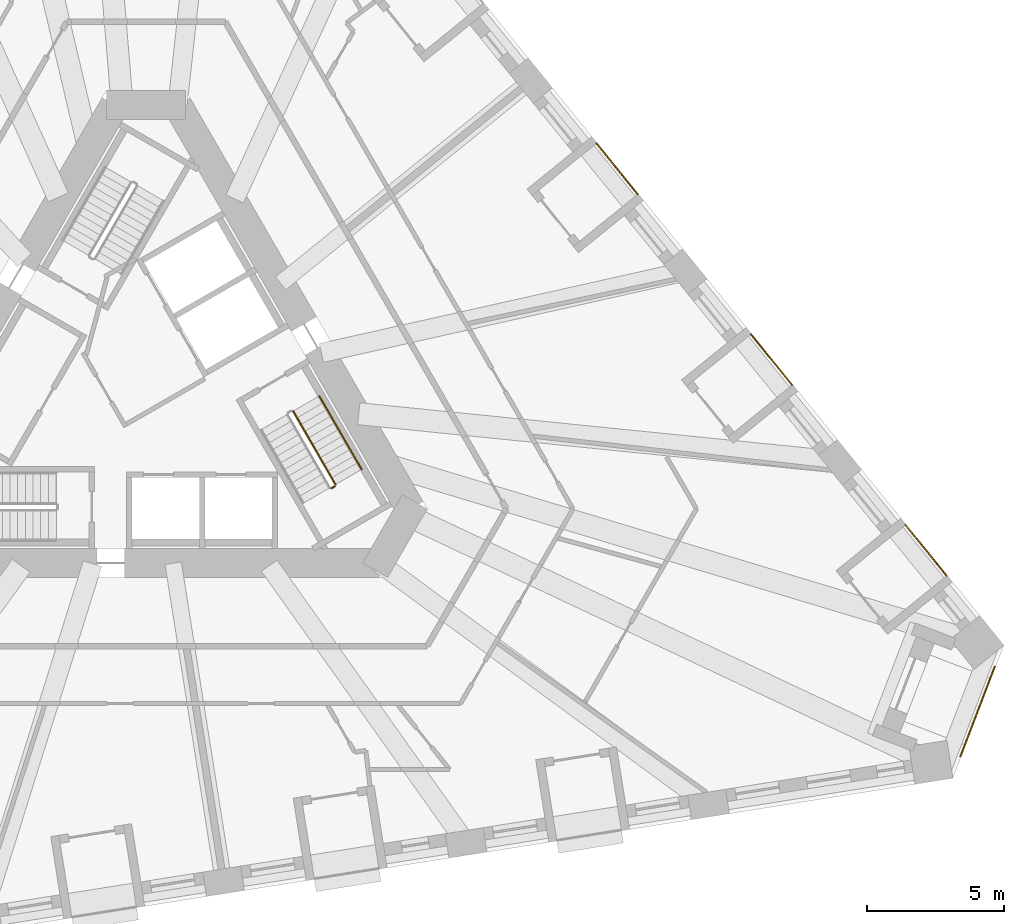
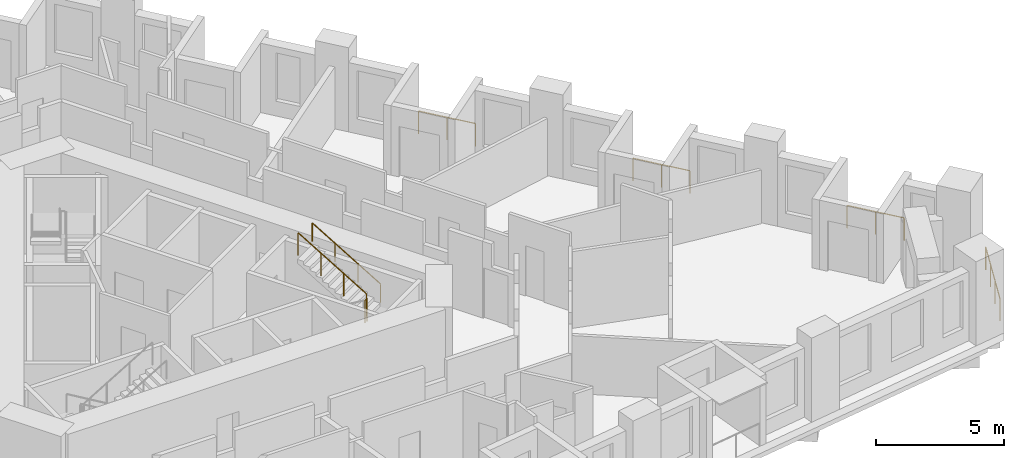
# One storey, part 13 of 14: 7 railings.
"""IFC4 building model written with IfcOpenShell, lengths in metres."""

from ifc_helpers import new_model, si_unit, direction, frame, origin, origin_2d, place, context, subcontext, project, spatial, circle, extrude, material, type_object, element, save


model = new_model("IFC4")

# Units and contexts
model_context = context("Model", 3, precision=1e-05, world=origin(), true_north=direction((0.0, 1.0)))
body_context = subcontext(model_context, "Body", "Model", "MODEL_VIEW")
ifc_project = project(units=[si_unit("LENGTHUNIT", "METRE"), si_unit("AREAUNIT", "SQUARE_METRE"), si_unit("VOLUMEUNIT", "CUBIC_METRE"), si_unit("PLANEANGLEUNIT", "RADIAN"), si_unit("MASSUNIT", "GRAM", prefix="KILO")], contexts=[model_context])

# Site, building, storey
site_placement = place(None, origin())
site = spatial("IfcSite", under=ifc_project, at=site_placement, CompositionType="ELEMENT")
building_placement = place(site_placement, origin())
building = spatial("IfcBuilding", under=site, at=building_placement, Name="Tramontana Tower", CompositionType="ELEMENT")
storey_placement = place(building_placement, frame((0.0, 0.0, 55.199951171875)))
storey = spatial("IfcBuildingStorey", under=building, at=storey_placement, Name="L11", CompositionType="ELEMENT", Elevation=55.199951171875)

# Railings
ifc_material_1 = material(Name="Laminated glass balustrade", Category="glass")
railing_type_1 = type_object("IfcRailingType", Name="GD1 Loggia glass balustrade 1100", PredefinedType="BALUSTRADE", material=ifc_material_1)
railing_1_placement = place(storey_placement, frame((29.18310546875, -6.68896484375, 0.0)))
element("IfcRailing", 1, at=railing_1_placement, inside=storey, type_object=railing_type_1, Name="Loggia balustrade L11 G1S2.1", PredefinedType="BALUSTRADE", context=body_context, shape_type="SweptSolid", body=[
    extrude(circle(Radius=0.02392578125, at=origin_2d()), frame((0.0, 0.0, 1.076171875), z_axis=(-0.629369155682, 0.777106470103, 0.0), x_axis=(-0.777106470103, -0.629369155682, 0.0)), (0.0, 0.0, 1.0), 2.383056640625),
    extrude(circle(Radius=0.02099609375, at=origin_2d()), origin(), (0.0, 0.0, 1.0), 1.052001953125),
    extrude(circle(Radius=0.02099609375, at=origin_2d()), frame((-0.75, 0.92578125, 0.0)), (0.0, 0.0, 1.0), 1.052001953125),
    extrude(circle(Radius=0.02099609375, at=origin_2d()), frame((-1.499755859375, 1.851806640625, 0.0)), (0.0, 0.0, 1.0), 1.052001953125),
])
railing_2_placement = place(storey_placement, frame((23.55126953125, 0.265625, 0.0)))
element("IfcRailing", 2, at=railing_2_placement, inside=storey, type_object=railing_type_1, Name="Loggia balustrade L11 G1S2.4", PredefinedType="BALUSTRADE", context=body_context, shape_type="SweptSolid", body=[
    extrude(circle(Radius=0.02392578125, at=origin_2d()), frame((0.0, 0.0, 1.076171875), z_axis=(-0.629257171563, 0.777197151331, 0.0), x_axis=(-0.777197151331, -0.629257171563, 0.0)), (0.0, 0.0, 1.0), 2.383056640625),
    extrude(circle(Radius=0.02099609375, at=origin_2d()), origin(), (0.0, 0.0, 1.0), 1.052001953125),
    extrude(circle(Radius=0.02099609375, at=origin_2d()), frame((-0.749755859375, 0.926025390625, 0.0)), (0.0, 0.0, 1.0), 1.052001953125),
    extrude(circle(Radius=0.02099609375, at=origin_2d()), frame((-1.49951171875, 1.85205078125, 0.0)), (0.0, 0.0, 1.0), 1.052001953125),
])
railing_3_placement = place(storey_placement, frame((17.919677734375, 7.22021484375, 0.0)))
element("IfcRailing", 3, at=railing_3_placement, inside=storey, type_object=railing_type_1, Name="Loggia balustrade L11 G1S2.7", PredefinedType="BALUSTRADE", context=body_context, shape_type="SweptSolid", body=[
    extrude(circle(Radius=0.02392578125, at=origin_2d()), frame((0.0, 0.0, 1.076171875), z_axis=(-0.629319049918, 0.777147047482, 0.0), x_axis=(-0.777147047482, -0.629319049918, 0.0)), (0.0, 0.0, 1.0), 2.383056640625),
    extrude(circle(Radius=0.02099609375, at=origin_2d()), origin(), (0.0, 0.0, 1.0), 1.052001953125),
    extrude(circle(Radius=0.02099609375, at=origin_2d()), frame((-0.75, 0.926025390625, 0.0)), (0.0, 0.0, 1.0), 1.052001953125),
    extrude(circle(Radius=0.02099609375, at=origin_2d()), frame((-1.499755859375, 1.85205078125, 0.0)), (0.0, 0.0, 1.0), 1.052001953125),
])
railing_4_placement = place(storey_placement, frame((30.9404296875, -10.00244140625, 0.0)))
element("IfcRailing", 4, at=railing_4_placement, inside=storey, type_object=railing_type_1, Name="Corner loggia balustrade L11 K12", PredefinedType="BALUSTRADE", context=body_context, shape_type="SweptSolid", body=[
    extrude(circle(Radius=0.02392578125, at=origin_2d()), frame((0.0, 0.0, 1.076171875), z_axis=(-0.358329267986, -0.933595274037, 0.0), x_axis=(0.933595274037, -0.358329267986, 0.0)), (0.0, 0.0, 1.0), 3.5),
    extrude(circle(Radius=0.02099609375, at=origin_2d()), origin(), (0.0, 0.0, 1.0), 1.052001953125),
    extrude(circle(Radius=0.02099609375, at=origin_2d()), frame((-0.41796875, -1.089111328125, 0.0)), (0.0, 0.0, 1.0), 1.052001953125),
    extrude(circle(Radius=0.02099609375, at=origin_2d()), frame((-0.836181640625, -2.178466796875, 0.0)), (0.0, 0.0, 1.0), 1.052001953125),
    extrude(circle(Radius=0.02099609375, at=origin_2d()), frame((-1.254150390625, -3.267578125, 0.0)), (0.0, 0.0, 1.0), 1.052001953125),
])
ifc_material_2 = material(Name="Painted steel", Category="steel")
railing_type_2 = type_object("IfcRailingType", Name="STAIR GUARD 1100", PredefinedType="GUARDRAIL", material=ifc_material_2)
railing_5_placement = place(storey_placement, frame((6.90380859375, -3.35791015625, 2.166748046875)))
element("IfcRailing", 5, at=railing_5_placement, inside=storey, type_object=railing_type_2, Name="L11 ST3 stair guard 2", PredefinedType="GUARDRAIL", context=body_context, shape_type="SweptSolid", body=[
    extrude(circle(Radius=0.02392578125, at=origin_2d()), frame((0.0, 0.0, 1.076171875), z_axis=(-0.429615651263, 0.74418122563, 0.511492615401), x_axis=(-0.866044340336, -0.499967199496, 0.0)), (0.0, 0.0, 1.0), 3.584228515625),
    extrude(circle(Radius=0.02099609375, at=origin_2d()), origin(), (0.0, 0.0, 1.0), 1.052001953125),
    extrude(circle(Radius=0.02099609375, at=origin_2d()), frame((-0.51318359375, 0.88916015625, 0.611083984375)), (0.0, 0.0, 1.0), 1.052001953125),
    extrude(circle(Radius=0.02099609375, at=origin_2d()), frame((-1.026611328125, 1.778076171875, 1.22216796875)), (0.0, 0.0, 1.0), 1.052001953125),
    extrude(circle(Radius=0.02099609375, at=origin_2d()), frame((-1.539794921875, 2.667236328125, 1.833251953125)), (0.0, 0.0, 1.0), 1.052001953125),
])
railing_6_placement = place(storey_placement, frame((6.755615234375, -3.501220703125, 2.0)))
element("IfcRailing", 6, at=railing_6_placement, inside=storey, type_object=railing_type_2, Name="L11 ST3 stair guard 3", PredefinedType="GUARDRAIL", context=body_context, shape_type="SweptSolid", body=[
    extrude(circle(Radius=0.02392578125, at=origin_2d()), frame((0.0, 0.0, 1.076171875), z_axis=(0.866131372301, 0.499816412211, 0.0), x_axis=(-0.499816412211, 0.866131372301, 0.0)), (0.0, 0.0, 1.0), 0.14990234375),
    extrude(circle(Radius=0.02099609375, at=origin_2d()), origin(), (0.0, 0.0, 1.0), 1.052001953125),
    extrude(circle(Radius=0.02099609375, at=origin_2d()), frame((0.1298828125, 0.074951171875, 0.0)), (0.0, 0.0, 1.0), 1.052001953125),
])
ifc_material_3 = material(Name="Painted steel", Category="steel")
railing_type_3 = type_object("IfcRailingType", Name="STAIR HANDRAIL 900", PredefinedType="HANDRAIL", material=ifc_material_3)
railing_7_placement = place(storey_placement, frame((7.8564453125, -2.807861328125, 2.166748046875)))
element("IfcRailing", 7, at=railing_7_placement, inside=storey, type_object=railing_type_3, Name="L11 ST3 stair handrail 2", PredefinedType="HANDRAIL", context=body_context, shape_type="SweptSolid", body=[
    extrude(circle(Radius=0.02392578125, at=origin_2d()), frame((0.0, 0.0, 0.8759765625), z_axis=(-0.429615651263, 0.74418122563, 0.511492615401), x_axis=(-0.866044340336, -0.499967199496, 0.0)), (0.0, 0.0, 1.0), 3.584228515625),
    extrude(circle(Radius=0.02099609375, at=origin_2d()), origin(), (0.0, 0.0, 1.0), 0.851806640625),
    extrude(circle(Radius=0.02099609375, at=origin_2d()), frame((-0.51318359375, 0.88916015625, 0.611083984375)), (0.0, 0.0, 1.0), 0.851806640625),
    extrude(circle(Radius=0.02099609375, at=origin_2d()), frame((-1.026611328125, 1.778076171875, 1.22216796875)), (0.0, 0.0, 1.0), 0.851806640625),
    extrude(circle(Radius=0.02099609375, at=origin_2d()), frame((-1.539794921875, 2.667236328125, 1.833251953125)), (0.0, 0.0, 1.0), 0.851806640625),
])

save(model, "model.ifc")
